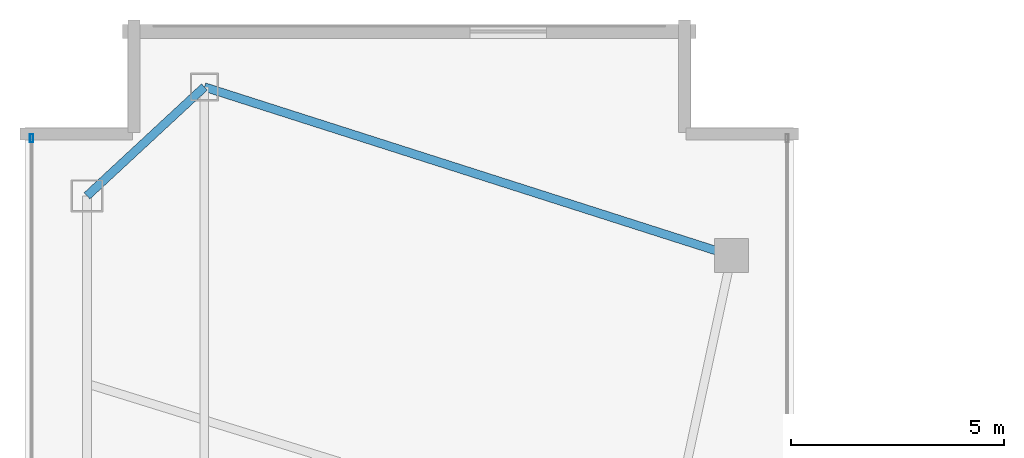
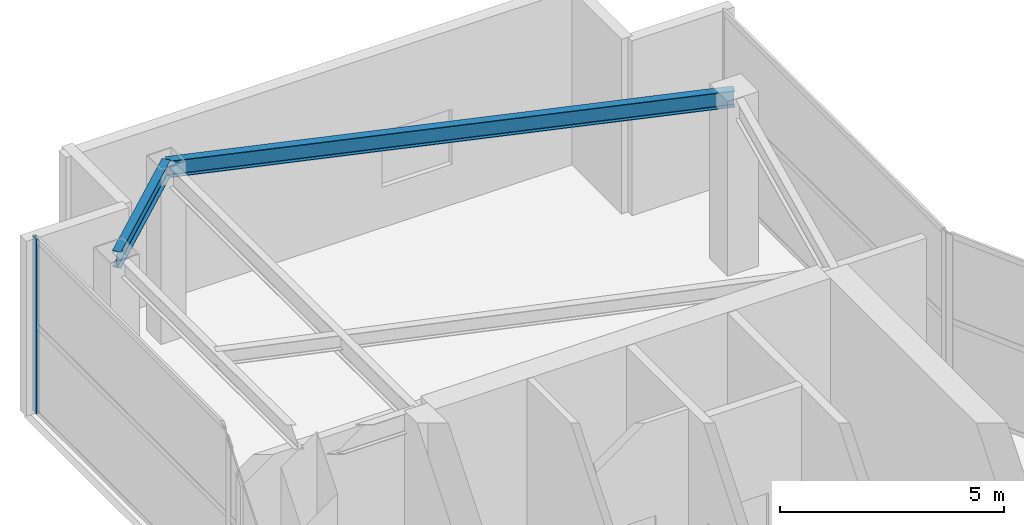
# One storey, part 14 of 20: 2 beams, 1 member, 1 element without a shape of its own.
"""IFC4 building model written with IfcOpenShell, lengths in metres."""

from ifc_helpers import new_model, si_unit, direction, frame, origin, origin_2d, place, context, subcontext, project, spatial, hollow_rectangle, i_section, extrude, material, layer, layer_set, material_profile, profile_set, type_object, element, aggregate, save


model = new_model("IFC4")

# Units and contexts
model_context = context("Model", 3, precision=1e-05, world=origin(), true_north=direction((0.0, 1.0)))
body_context = subcontext(model_context, "Body", "Model", "MODEL_VIEW")
ifc_project = project(units=[si_unit("LENGTHUNIT", "METRE"), si_unit("AREAUNIT", "SQUARE_METRE"), si_unit("VOLUMEUNIT", "CUBIC_METRE"), si_unit("PLANEANGLEUNIT", "RADIAN"), si_unit("MASSUNIT", "GRAM", prefix="KILO")], contexts=[model_context])

# Site, building, storey
site_placement = place(None, origin())
site = spatial("IfcSite", under=ifc_project, at=site_placement, CompositionType="ELEMENT")
building_placement = place(site_placement, origin())
building = spatial("IfcBuilding", under=site, at=building_placement, Name="Calvorn Quay Hotel", CompositionType="ELEMENT")
storey_placement = place(building_placement, frame((0.0, 0.0, 335.5)))
storey = spatial("IfcBuildingStorey", under=building, at=storey_placement, Name="L82", CompositionType="ELEMENT", Elevation=335.5)

# Beams
ifc_material_1 = material(Name="Steel Q355B", Category="steel")
ifc_material_profile_1 = material_profile(ifc_material_1, i_section(OverallWidth=0.199951171875, OverallDepth=0.449951171875, WebThickness=0.009033203125, FlangeThickness=0.013916015625, FilletRadius=0.01611328125, at=origin_2d()), Name="HN450x200x9x14")
ifc_profile_set_1 = profile_set([ifc_material_profile_1], Name="Steel Q355B")
beam_type = type_object("IfcBeamType", Name="BM-SPANDREL-Z3", PredefinedType="SPANDREL", material=ifc_profile_set_1)
beam_1_placement = place(storey_placement, frame((1.449951171875, 47.0, 4.514892578125), z_axis=(0.733261665538, 0.679946563969, 0.0), x_axis=(-0.679946563969, 0.733261665538, 0.0)))
element("IfcBeam", 1, at=beam_1_placement, inside=storey, type_object=beam_type, Name="Beam BSP-L82-W5", PredefinedType="SPANDREL", context=body_context, shape_type="SweptSolid", body=[
    extrude(i_section(OverallWidth=0.199951171875, OverallDepth=0.449951171875, WebThickness=0.009033203125, FlangeThickness=0.013916015625, FilletRadius=0.01611328125, at=origin_2d()), origin(), (0.0, 0.0, 1.0), 3.75048828125),
])
beam_2_placement = place(storey_placement, frame((4.199951171875, 49.550048828125, 4.514892578125), z_axis=(0.952470702374, -0.304630203885, 0.0), x_axis=(0.304630203885, 0.952470702374, 0.0)))
element("IfcBeam", 2, at=beam_2_placement, inside=storey, type_object=beam_type, Name="Beam BSP-L82-W6", PredefinedType="SPANDREL", context=body_context, shape_type="SweptSolid", body=[
    extrude(i_section(OverallWidth=0.199951171875, OverallDepth=0.449951171875, WebThickness=0.009033203125, FlangeThickness=0.013916015625, FilletRadius=0.01611328125, at=origin_2d()), origin(), (0.0, 0.0, 1.0), 12.96630859375),
])

# Curtain wall, member
ifc_material_2 = material(Name="Pale Anodised Aluminium and Laminated Glass", Category="aluminium")
ifc_layer = layer(ifc_material_2, 0.219970703125)
ifc_layer_set = layer_set([ifc_layer], Name="CW-SYS-CRN")
curtain_wall_type = type_object("IfcCurtainWallType", Name="CW-SYS-CRN", PredefinedType="NOTDEFINED", material=ifc_layer_set)
curtain_wall_placement = place(storey_placement, origin())
curtain_wall = element("IfcCurtainWall", 3, at=curtain_wall_placement, inside=storey, type_object=curtain_wall_type, Name="Crown Curtain Wall L82-C5", PredefinedType="NOTDEFINED")
ifc_material_3 = material(Name="Pale Anodised Aluminium 6063-T6", Category="aluminium")
ifc_material_profile_2 = material_profile(ifc_material_3, hollow_rectangle(XDim=0.072021484375, YDim=0.195068359375, WallThickness=0.00390625, at=origin_2d()), Name="ALU-M195x72x4")
ifc_profile_set_2 = profile_set([ifc_material_profile_2], Name="Pale Anodised Aluminium 6063-T6")
member_type = type_object("IfcMemberType", Name="CW-SYS-CRN-MUL", PredefinedType="MULLION", material=ifc_profile_set_2)
member_placement = place(storey_placement, frame((0.14990234375, 48.35009765625, 0.0), z_axis=(0.0, 0.0, 1.0), x_axis=(1.0, 0.0, 0.0)))
member = element("IfcMember", 4, at=member_placement, type_object=member_type, Name="CW-L82-C5 mullion 1", PredefinedType="MULLION", context=body_context, shape_type="SweptSolid", body=[
    extrude(hollow_rectangle(XDim=0.072021484375, YDim=0.195068359375, WallThickness=0.00390625, at=origin_2d()), origin(), (0.0, 0.0, 1.0), 4.760009765625),
])
aggregate(curtain_wall, [member])

save(model, "model.ifc")
